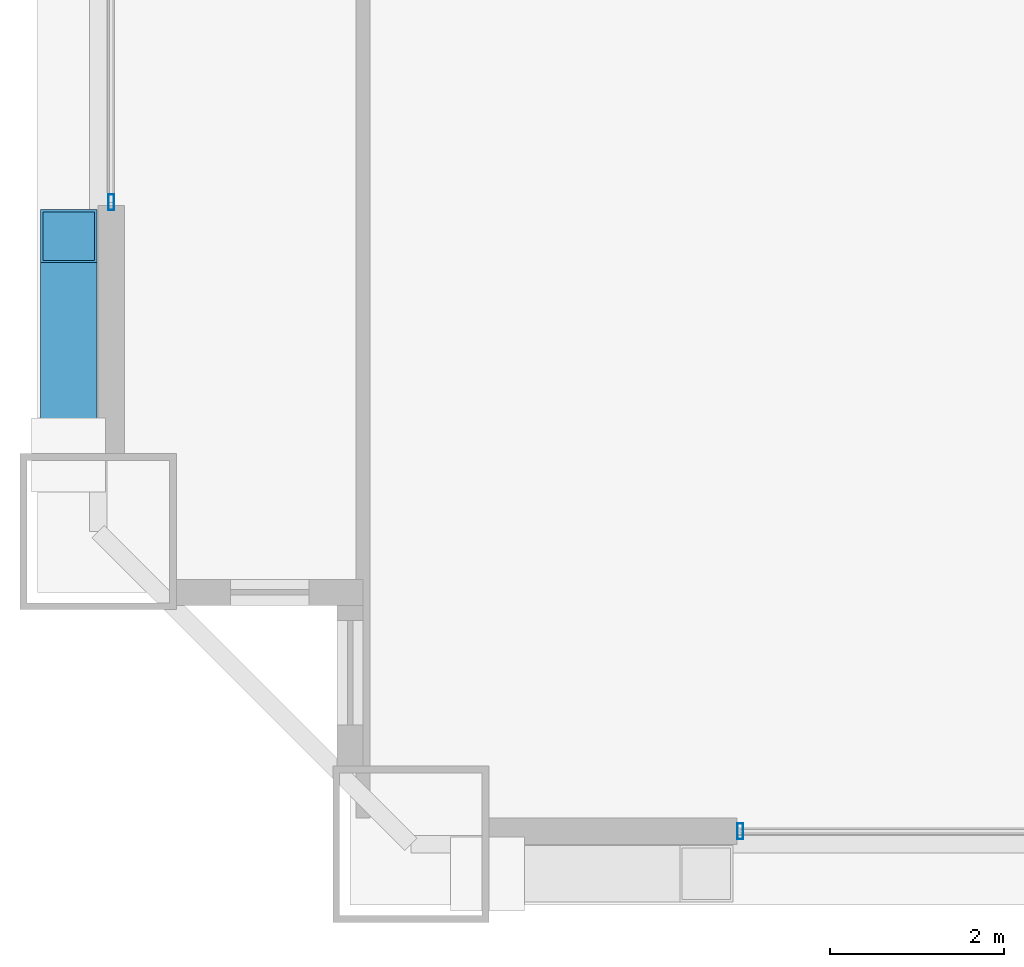
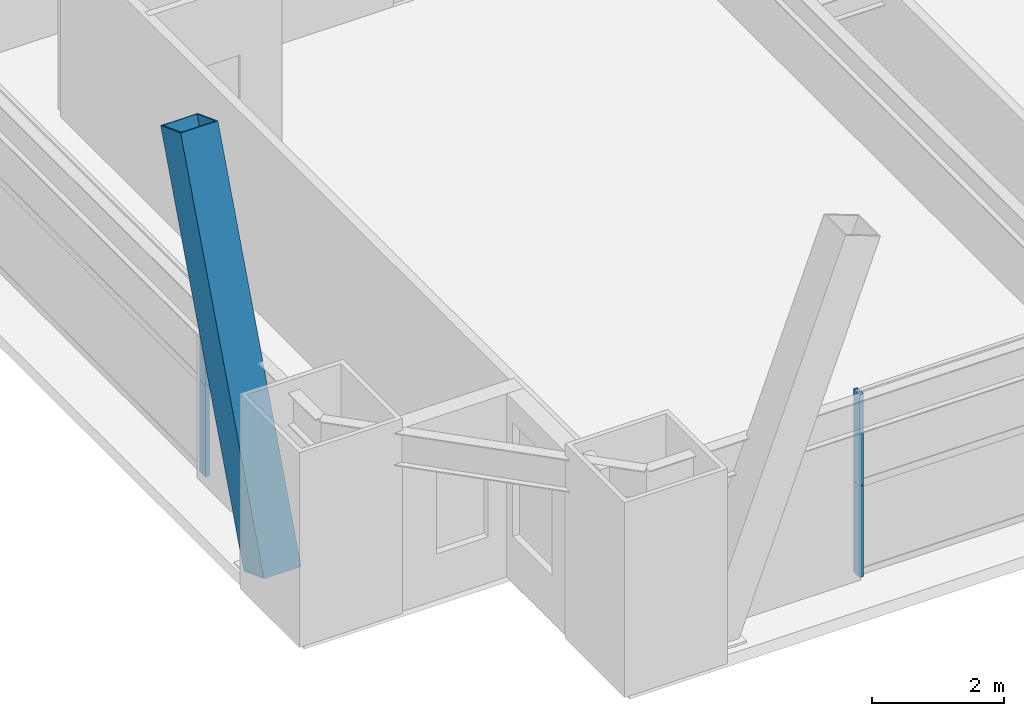
# One storey, part 3 of 43: 5 members, 2 elements without a shape of their own.
"""IFC4 building model written with IfcOpenShell, lengths in metres."""

from ifc_helpers import new_model, si_unit, direction, frame, origin, origin_2d, place, context, subcontext, project, spatial, hollow_rectangle, extrude, source, transform, mapped, material, layer, layer_set, material_profile, profile_set, type_object, element, aggregate, save


model = new_model("IFC4")

# Units and contexts
model_context = context("Model", 3, precision=1e-05, world=origin(), true_north=direction((0.0, 1.0)))
body_context = subcontext(model_context, "Body", "Model", "MODEL_VIEW")
ifc_project = project(units=[si_unit("LENGTHUNIT", "METRE"), si_unit("AREAUNIT", "SQUARE_METRE"), si_unit("VOLUMEUNIT", "CUBIC_METRE"), si_unit("PLANEANGLEUNIT", "RADIAN"), si_unit("MASSUNIT", "GRAM", prefix="KILO"), si_unit("THERMODYNAMICTEMPERATUREUNIT", "KELVIN"), si_unit("POWERUNIT", "WATT")], contexts=[model_context])

# Site, building, storey
site_placement = place(None, origin())
site = spatial("IfcSite", under=ifc_project, at=site_placement, CompositionType="ELEMENT")
building_placement = place(site_placement, origin())
building = spatial("IfcBuilding", under=site, at=building_placement, Name="Yuzanri Waterfront Tower", CompositionType="ELEMENT")
storey_placement = place(building_placement, frame((0.0, 0.0, 53.199951171875)))
storey = spatial("IfcBuildingStorey", under=building, at=storey_placement, Name="L13", CompositionType="ELEMENT", Elevation=53.199951171875)

# Member
ifc_material_1 = material(Name="Steel Q420GJC", Category="steel")
ifc_material_profile_1 = material_profile(ifc_material_1, hollow_rectangle(XDim=0.64990234375, YDim=0.64990234375, WallThickness=0.028076171875, at=origin_2d()), Name="RHS 650x650x28")
ifc_profile_set_1 = profile_set([ifc_material_profile_1], Name="Steel Q420GJC")
member_type_1 = type_object("IfcMemberType", Name="Mega Brace Lower Q420GJC RHS 650x650x28", PredefinedType="BRACE", material=ifc_profile_set_1)
shared_shape_1 = source(origin(), body_context, "Body", "SweptSolid", [
    extrude(hollow_rectangle(XDim=0.64990234375, YDim=0.64990234375, WallThickness=0.028076171875, at=origin_2d()), origin(), (0.0, 0.0, 1.0), 7.158447265625),
])
member_1_placement = place(storey_placement, frame((11.56005859375, 5.179931640625, 0.179931640625), z_axis=(0.0, 0.352035242291, 0.935986745731), x_axis=(-1.0, 0.0, 0.0)))
element("IfcMember", 1, at=member_1_placement, inside=storey, type_object=member_type_1, Name="L13-L14 Perimeter Mega-Brace W-L", PredefinedType="BRACE", context=body_context, shape_type="MappedRepresentation", body=[
    mapped(shared_shape_1, transform((0.0, 0.0, 0.0), scale=1.0)),
])

# Curtain wall, members
ifc_material_2 = material(Name="Anodized Architectural Bronze", Category="metal")
ifc_layer = layer(ifc_material_2, 0.159912109375)
ifc_layer_set = layer_set([ifc_layer], Name="Anodized Architectural Bronze")
curtain_wall_type = type_object("IfcCurtainWallType", Name="Anodized Bronze Hotel Lower-Tier Recessed Unitized Curtain Wall 8100", PredefinedType="NOTDEFINED", material=ifc_layer_set)
curtain_wall_1_placement = place(storey_placement, origin())
curtain_wall_1 = element("IfcCurtainWall", 2, at=curtain_wall_1_placement, inside=storey, type_object=curtain_wall_type, Name="L13 Curtain Wall CW-L13-SL", PredefinedType="NOTDEFINED")
ifc_material_3 = material(Name="Anodized Architectural Bronze", Category="metal")
ifc_material_profile_2 = material_profile(ifc_material_3, hollow_rectangle(XDim=0.070068359375, YDim=0.179931640625, WallThickness=0.00390625, at=origin_2d()), Name="CWM 70x180")
ifc_profile_set_2 = profile_set([ifc_material_profile_2], Name="Anodized Architectural Bronze")
member_type_2 = type_object("IfcMemberType", Name="Anodized Bronze Standard Curtain-Wall Mullion 70x180", PredefinedType="MULLION", material=ifc_profile_set_2)
shared_shape_2 = source(origin(), body_context, "Body", "SweptSolid", [
    extrude(hollow_rectangle(XDim=0.070068359375, YDim=0.179931640625, WallThickness=0.00390625, at=origin_2d()), origin(), (0.0, 0.0, 1.0), 1.68798828125),
])
member_2_placement = place(storey_placement, frame((19.2900390625, 0.85009765625, 0.0), z_axis=(0.0, 0.0, 1.0), x_axis=(1.0, 0.0, 0.0)))
member_2 = element("IfcMember", 3, at=member_2_placement, type_object=member_type_2, Name="CW-L13-SL Lower Mullion 00", PredefinedType="MULLION", context=body_context, shape_type="MappedRepresentation", body=[
    mapped(shared_shape_2, transform((0.0, 0.0, 0.0), scale=1.0)),
])
member_3_placement = place(storey_placement, frame((19.2900390625, 0.85009765625, 1.692138671875), z_axis=(0.0, 0.0, 1.0), x_axis=(1.0, 0.0, 0.0)))
member_3 = element("IfcMember", 4, at=member_3_placement, type_object=member_type_2, Name="CW-L13-SL Upper Mullion 00", PredefinedType="MULLION", context=body_context, shape_type="MappedRepresentation", body=[
    mapped(shared_shape_2, transform((0.0, 0.0, 0.0), scale=1.0)),
])
aggregate(curtain_wall_1, [member_2, member_3])

curtain_wall_2_placement = place(storey_placement, origin())
curtain_wall_2 = element("IfcCurtainWall", 5, at=curtain_wall_2_placement, inside=storey, type_object=curtain_wall_type, Name="L13 Curtain Wall CW-L13-WL", PredefinedType="NOTDEFINED")
member_4_placement = place(storey_placement, frame((12.050048828125, 8.090087890625, 0.0), z_axis=(0.0, 0.0, 1.0), x_axis=(1.0, 0.0, 0.0)))
member_4 = element("IfcMember", 6, at=member_4_placement, type_object=member_type_2, Name="CW-L13-WL Lower Mullion 00", PredefinedType="MULLION", context=body_context, shape_type="MappedRepresentation", body=[
    mapped(shared_shape_2, transform((0.0, 0.0, 0.0), scale=1.0)),
])
member_5_placement = place(storey_placement, frame((12.050048828125, 8.090087890625, 1.692138671875), z_axis=(0.0, 0.0, 1.0), x_axis=(1.0, 0.0, 0.0)))
member_5 = element("IfcMember", 7, at=member_5_placement, type_object=member_type_2, Name="CW-L13-WL Upper Mullion 00", PredefinedType="MULLION", context=body_context, shape_type="MappedRepresentation", body=[
    mapped(shared_shape_2, transform((0.0, 0.0, 0.0), scale=1.0)),
])
aggregate(curtain_wall_2, [member_4, member_5])

save(model, "model.ifc")
